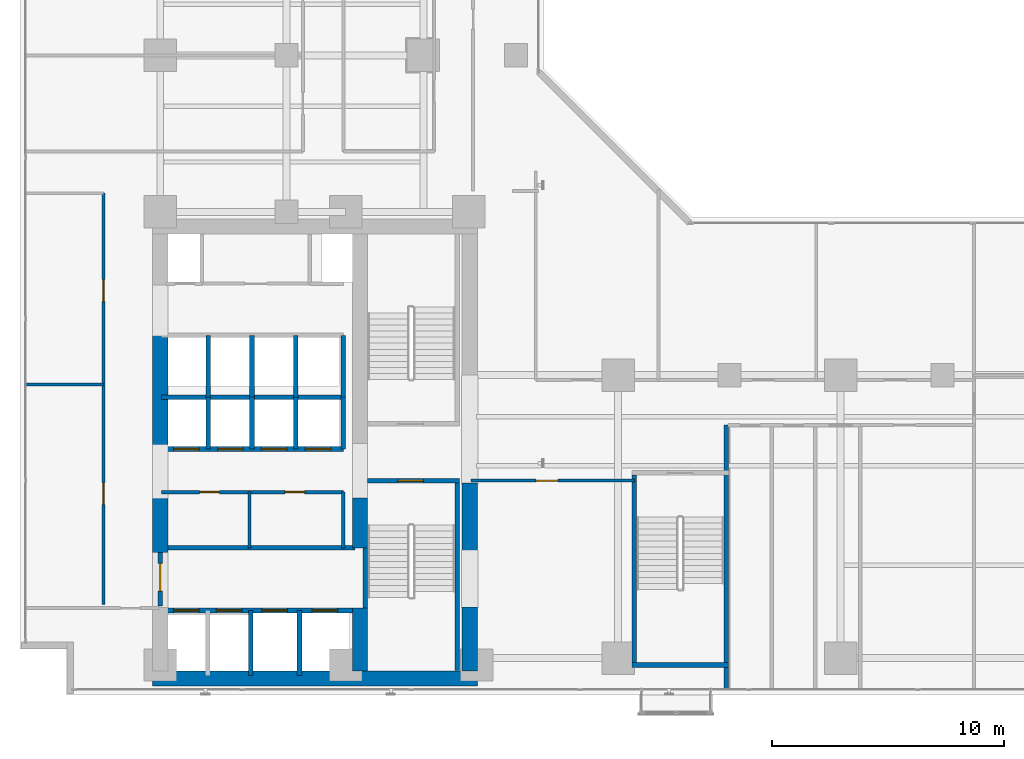
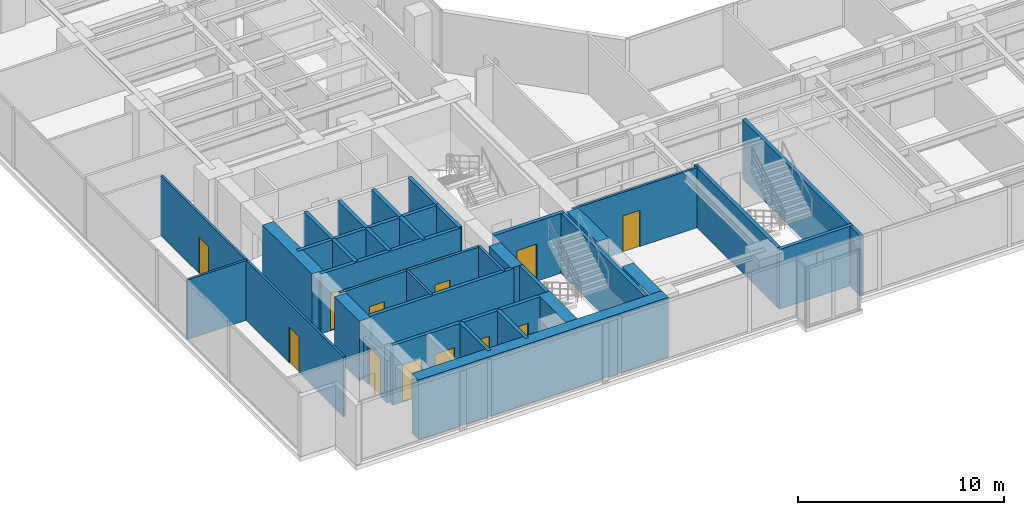
# One storey, part 19 of 26: 34 walls, 15 doors, 15 openings.
"""IFC4 building model written with IfcOpenShell, lengths in metres."""

from ifc_helpers import new_model, si_unit, direction, frame, frame_2d, origin, place, context, subcontext, project, spatial, rectangle, extrude, material, layer, layer_set, type_object, element, fill, save


model = new_model("IFC4")

# Units and contexts
model_context = context("Model", 3, precision=1e-05, world=origin(), true_north=direction((0.0, 1.0)))
body_context = subcontext(model_context, "Body", "Model", "MODEL_VIEW")
ifc_project = project(units=[si_unit("LENGTHUNIT", "METRE"), si_unit("AREAUNIT", "SQUARE_METRE"), si_unit("VOLUMEUNIT", "CUBIC_METRE"), si_unit("PLANEANGLEUNIT", "RADIAN"), si_unit("MASSUNIT", "GRAM", prefix="KILO")], contexts=[model_context])

# Site, building, storey
site_placement = place(None, origin())
site = spatial("IfcSite", under=ifc_project, at=site_placement, CompositionType="ELEMENT")
building_placement = place(site_placement, origin())
building = spatial("IfcBuilding", under=site, at=building_placement, Name="Kolvaren Waterfront Exchange", CompositionType="ELEMENT")
storey_placement = place(building_placement, frame((0.0, 0.0, 125.89990234375)))
storey = spatial("IfcBuildingStorey", under=building, at=storey_placement, Name="L32", CompositionType="ELEMENT", Elevation=125.89990234375)

# Wall, opening, door
ifc_material_1 = material(Name="Precast concrete C40/50", Category="concrete")
ifc_layer_1 = layer(ifc_material_1, 0.199951171875, Name="Precast concrete C40/50")
ifc_layer_set_1 = layer_set([ifc_layer_1], Name="Precast concrete C40/50")
wall_type_1 = type_object("IfcWallType", Name="ARC-FIRE-200", PredefinedType="PARTITIONING", material=ifc_layer_set_1)
wall_1_placement = place(storey_placement, frame((16.39990234375, 12.85009765625, 0.0), z_axis=(0.0, 0.0, 1.0), x_axis=(1.0, 0.0, 0.0)))
wall_1 = element("IfcWall", 1, at=wall_1_placement, inside=storey, type_object=wall_type_1, Name="L32 interior wall PW-L32-ST1-THROAT-S", PredefinedType="PARTITIONING", context=body_context, shape_type="SweptSolid", body=[
    extrude(rectangle(XDim=3.960205078125, YDim=0.199951171875, at=frame_2d((1.97998046875, 0.0))), origin(), (0.0, 0.0, 1.0), 3.5400390625),
])
opening_1_placement = place(wall_1_placement, frame((1.3037109375, 0.0, 0.0)))
opening_1 = element("IfcOpeningElement", 2, at=opening_1_placement, cuts=wall_1, Name="Opening FD2", PredefinedType="OPENING", context=body_context, shape_type="SweptSolid", body=[
    extrude(rectangle(XDim=1.10009765625, YDim=2.199951171875, at=frame_2d((0.550048828125, 1.10009765625))), frame((0.0, 0.10986328125, 0.0), z_axis=(0.0, -1.0, 0.0), x_axis=(1.0, 0.0, 0.0)), (0.0, 0.0, 1.0), 0.219970703125),
])
ifc_material_2 = material(Name="Pressed steel smoke-seal fire door", Category="steel")
door_type_1 = type_object("IfcDoorType", Name="ARC-FD-1100", OperationType="NOTDEFINED", PredefinedType="DOOR", material=ifc_material_2)
door_1_placement = place(opening_1_placement, frame((1.10009765625, 0.0, 0.0), z_axis=(0.0, 0.0, 1.0), x_axis=(-1.0, 0.0, 0.0)))
door_1 = element("IfcDoor", 3, at=door_1_placement, inside=storey, type_object=door_type_1, Name="L32 door DR-L32-ST1-IN (FD2)", OperationType="SINGLE_SWING_RIGHT", OverallHeight=2.199951171875, OverallWidth=1.10009765625, PredefinedType="DOOR", context=body_context, shape_type="SweptSolid", body=[
    extrude(rectangle(XDim=1.10009765625, YDim=2.199951171875, at=frame_2d((0.550048828125, 1.10009765625))), frame((0.0, 0.02490234375, 0.0), z_axis=(0.0, -1.0, 0.0), x_axis=(1.0, 0.0, 0.0)), (0.0, 0.0, 1.0), 0.050048828125),
])
fill(opening_1, door_1)

# Wall
wall_2_placement = place(storey_placement, frame((7.5, 9.949951171875, 0.0), z_axis=(0.0, 0.0, 1.0), x_axis=(1.0, 0.0, 0.0)))
element("IfcWall", 4, at=wall_2_placement, inside=storey, type_object=wall_type_1, Name="L32 interior wall PW-L32-FF-N", PredefinedType="PARTITIONING", context=body_context, shape_type="SweptSolid", body=[
    extrude(rectangle(XDim=8.35009765625, YDim=0.199951171875, at=frame_2d((4.175048828125, 0.0))), origin(), (0.0, 0.0, 1.0), 3.5400390625),
])

# Wall, opening, door
wall_3_placement = place(storey_placement, frame((7.449951171875, 7.449951171875, 0.0), z_axis=(0.0, 0.0, 1.0), x_axis=(0.0, 1.0, 0.0)))
wall_3 = element("IfcWall", 5, at=wall_3_placement, inside=storey, type_object=wall_type_1, Name="L32 interior wall PW-L32-FF-W-DOOR", PredefinedType="PARTITIONING", context=body_context, shape_type="SweptSolid", body=[
    extrude(rectangle(XDim=2.300048828125, YDim=0.199951171875, at=frame_2d((1.14990234375, 0.0))), origin(), (0.0, 0.0, 1.0), 2.52001953125),
])
opening_2_placement = place(wall_3_placement, frame((0.63330078125, 0.0, 0.0)))
opening_2 = element("IfcOpeningElement", 6, at=opening_2_placement, cuts=wall_3, Name="Opening FD3", PredefinedType="OPENING", context=body_context, shape_type="SweptSolid", body=[
    extrude(rectangle(XDim=1.199951171875, YDim=2.25, at=frame_2d((0.60009765625, 1.125))), frame((0.0, 0.10986328125, 0.0), z_axis=(0.0, -1.0, 0.0), x_axis=(1.0, 0.0, 0.0)), (0.0, 0.0, 1.0), 0.219970703125),
])
ifc_material_3 = material(Name="Pressed steel fire door", Category="steel")
door_type_2 = type_object("IfcDoorType", Name="ARC-FD-1200", OperationType="NOTDEFINED", PredefinedType="DOOR", material=ifc_material_3)
door_2_placement = place(opening_2_placement, frame((1.199951171875, 0.0, 0.0), z_axis=(0.0, 0.0, 1.0), x_axis=(-1.0, 0.0, 0.0)))
door_2 = element("IfcDoor", 7, at=door_2_placement, inside=storey, type_object=door_type_2, Name="L32 door DR-L32-FF-OUT (FD3)", OperationType="SINGLE_SWING_LEFT", OverallHeight=2.25, OverallWidth=1.199951171875, PredefinedType="DOOR", context=body_context, shape_type="SweptSolid", body=[
    extrude(rectangle(XDim=1.199951171875, YDim=2.25, at=frame_2d((0.60009765625, 1.125))), frame((0.0, 0.02490234375, 0.0), z_axis=(0.0, -1.0, 0.0), x_axis=(1.0, 0.0, 0.0)), (0.0, 0.0, 1.0), 0.050048828125),
])
fill(opening_2, door_2)

# Wall
ifc_material_4 = material(Name="Acoustic gypsum steel stud", Category="steel")
ifc_layer_2 = layer(ifc_material_4, 0.125, Name="Acoustic gypsum steel stud")
ifc_layer_set_2 = layer_set([ifc_layer_2], Name="Acoustic gypsum steel stud")
wall_type_2 = type_object("IfcWallType", Name="ARC-PART-125", PredefinedType="PARTITIONING", material=ifc_layer_set_2)
wall_4_placement = place(storey_placement, frame((11.300048828125, 9.949951171875, 0.0), z_axis=(0.0, 0.0, 1.0), x_axis=(0.0, 1.0, 0.0)))
element("IfcWall", 8, at=wall_4_placement, inside=storey, type_object=wall_type_2, Name="L32 interior wall PW-L32-REC-PL-MID", PredefinedType="PARTITIONING", context=body_context, shape_type="SweptSolid", body=[
    extrude(rectangle(XDim=2.41015625, YDim=0.125, at=frame_2d((1.205078125, 0.0))), origin(), (0.0, 0.0, 1.0), 3.5400390625),
])

# Wall, openings, doors
wall_5_placement = place(storey_placement, frame((5.0, 7.5, 0.0), z_axis=(0.0, 0.0, 1.0), x_axis=(0.0, 1.0, 0.0)))
wall_5 = element("IfcWall", 9, at=wall_5_placement, inside=storey, type_object=wall_type_2, Name="L32 interior wall PW-L32-WFLANK-E", PredefinedType="PARTITIONING", context=body_context, shape_type="SweptSolid", body=[
    extrude(rectangle(XDim=17.75, YDim=0.125, at=frame_2d((8.875, 0.0))), origin(), (0.0, 0.0, 1.0), 3.5400390625),
])
opening_3_placement = place(wall_5_placement, frame((4.320068359375, 0.0, 0.0)))
opening_3 = element("IfcOpeningElement", 10, at=opening_3_placement, cuts=wall_5, Name="Opening D02", PredefinedType="OPENING", context=body_context, shape_type="SweptSolid", body=[
    extrude(rectangle(XDim=0.949951171875, YDim=2.14990234375, at=frame_2d((0.47509765625, 1.074951171875))), frame((0.0, 0.072509765625, 0.0), z_axis=(0.0, -1.0, 0.0), x_axis=(1.0, 0.0, 0.0)), (0.0, 0.0, 1.0), 0.14501953125),
])
opening_4_placement = place(wall_5_placement, frame((13.078857421875, 0.0, 0.0)))
opening_4 = element("IfcOpeningElement", 11, at=opening_4_placement, cuts=wall_5, Name="Opening D02", PredefinedType="OPENING", context=body_context, shape_type="SweptSolid", body=[
    extrude(rectangle(XDim=0.949951171875, YDim=2.14990234375, at=frame_2d((0.47509765625, 1.074951171875))), frame((0.0, 0.072509765625, 0.0), z_axis=(0.0, -1.0, 0.0), x_axis=(1.0, 0.0, 0.0)), (0.0, 0.0, 1.0), 0.14501953125),
])
ifc_material_5 = material(Name="Oak veneer acoustic timber", Category="wood")
door_type_3 = type_object("IfcDoorType", Name="ARC-DR-950", OperationType="NOTDEFINED", PredefinedType="DOOR", material=ifc_material_5)
door_3_placement = place(opening_3_placement, origin())
door_3 = element("IfcDoor", 12, at=door_3_placement, inside=storey, type_object=door_type_3, Name="L32 door DR-L32-WFL1-D (D02)", OperationType="SINGLE_SWING_LEFT", OverallHeight=2.14990234375, OverallWidth=0.949951171875, PredefinedType="DOOR", context=body_context, shape_type="SweptSolid", body=[
    extrude(rectangle(XDim=0.949951171875, YDim=2.14990234375, at=frame_2d((0.47509765625, 1.074951171875))), frame((0.0, 0.02490234375, 0.0), z_axis=(0.0, -1.0, 0.0), x_axis=(1.0, 0.0, 0.0)), (0.0, 0.0, 1.0), 0.050048828125),
])
fill(opening_3, door_3)
door_4_placement = place(opening_4_placement, origin())
door_4 = element("IfcDoor", 13, at=door_4_placement, inside=storey, type_object=door_type_3, Name="L32 door DR-L32-WFL2-D (D02)", OperationType="SINGLE_SWING_RIGHT", OverallHeight=2.14990234375, OverallWidth=0.949951171875, PredefinedType="DOOR", context=body_context, shape_type="SweptSolid", body=[
    extrude(rectangle(XDim=0.949951171875, YDim=2.14990234375, at=frame_2d((0.47509765625, 1.074951171875))), frame((0.0, 0.02490234375, 0.0), z_axis=(0.0, -1.0, 0.0), x_axis=(1.0, 0.0, 0.0)), (0.0, 0.0, 1.0), 0.050048828125),
])
fill(opening_4, door_4)

# Wall
wall_6_placement = place(storey_placement, frame((1.639892578125, 17.0, 0.0), z_axis=(0.0, 0.0, 1.0), x_axis=(1.0, 0.0, 0.0)))
element("IfcWall", 14, at=wall_6_placement, inside=storey, type_object=wall_type_2, Name="L32 interior wall PW-L32-WFLANK-MID", PredefinedType="PARTITIONING", context=body_context, shape_type="SweptSolid", body=[
    extrude(rectangle(XDim=3.360107421875, YDim=0.125, at=frame_2d((1.68017578125, 0.0))), origin(), (0.0, 0.0, 1.0), 3.5400390625),
])

# Wall, opening, door
wall_7_placement = place(storey_placement, frame((20.85009765625, 12.85009765625, 0.0), z_axis=(0.0, 0.0, 1.0), x_axis=(1.0, 0.0, 0.0)))
wall_7 = element("IfcWall", 15, at=wall_7_placement, inside=storey, type_object=wall_type_2, Name="L32 interior wall PW-L32-SWST3-N", PredefinedType="PARTITIONING", context=body_context, shape_type="SweptSolid", body=[
    extrude(rectangle(XDim=7.0498046875, YDim=0.125, at=frame_2d((3.52490234375, 0.0))), origin(), (0.0, 0.0, 1.0), 3.5400390625),
])
opening_5_placement = place(wall_7_placement, frame((2.800048828125, 0.0, 0.0)))
opening_5 = element("IfcOpeningElement", 16, at=opening_5_placement, cuts=wall_7, Name="Opening D02", PredefinedType="OPENING", context=body_context, shape_type="SweptSolid", body=[
    extrude(rectangle(XDim=0.949951171875, YDim=2.14990234375, at=frame_2d((0.47509765625, 1.074951171875))), frame((0.0, 0.072509765625, 0.0), z_axis=(0.0, -1.0, 0.0), x_axis=(1.0, 0.0, 0.0)), (0.0, 0.0, 1.0), 0.14501953125),
])
door_5_placement = place(opening_5_placement, origin())
door_5 = element("IfcDoor", 17, at=door_5_placement, inside=storey, type_object=door_type_3, Name="L32 door DR-L32-SWST3-D (D02)", OperationType="SINGLE_SWING_LEFT", OverallHeight=2.14990234375, OverallWidth=0.949951171875, PredefinedType="DOOR", context=body_context, shape_type="SweptSolid", body=[
    extrude(rectangle(XDim=0.949951171875, YDim=2.14990234375, at=frame_2d((0.47509765625, 1.074951171875))), frame((0.0, 0.02490234375, 0.0), z_axis=(0.0, -1.0, 0.0), x_axis=(1.0, 0.0, 0.0)), (0.0, 0.0, 1.0), 0.050048828125),
])
fill(opening_5, door_5)

# Wall, openings, doors
ifc_material_6 = material(Name="Gypsum fireboard steel stud", Category="steel")
ifc_layer_3 = layer(ifc_material_6, 0.14990234375, Name="Gypsum fireboard steel stud")
ifc_layer_set_3 = layer_set([ifc_layer_3], Name="Gypsum fireboard steel stud")
wall_type_3 = type_object("IfcWallType", Name="ARC-PART-150", PredefinedType="PARTITIONING", material=ifc_layer_set_3)
wall_8_placement = place(storey_placement, frame((7.5, 12.360107421875, 0.0), z_axis=(0.0, 0.0, 1.0), x_axis=(1.0, 0.0, 0.0)))
wall_8 = element("IfcWall", 18, at=wall_8_placement, inside=storey, type_object=wall_type_3, Name="L32 interior wall PW-L32-REC-PL-N", PredefinedType="PARTITIONING", context=body_context, shape_type="SweptSolid", body=[
    extrude(rectangle(XDim=7.85009765625, YDim=0.14990234375, at=frame_2d((3.925048828125, 0.0))), origin(), (0.0, 0.0, 1.0), 3.5400390625),
])
opening_6_placement = place(wall_8_placement, frame((1.64990234375, 0.0, 0.0)))
opening_6 = element("IfcOpeningElement", 19, at=opening_6_placement, cuts=wall_8, Name="Opening D01", PredefinedType="OPENING", context=body_context, shape_type="SweptSolid", body=[
    extrude(rectangle(XDim=0.85009765625, YDim=2.14990234375, at=frame_2d((0.425048828125, 1.074951171875))), frame((0.0, 0.0849609375, 0.0), z_axis=(0.0, -1.0, 0.0), x_axis=(1.0, 0.0, 0.0)), (0.0, 0.0, 1.0), 0.169921875),
])
opening_7_placement = place(wall_8_placement, frame((5.329345703125, 0.0, 0.0)))
opening_7 = element("IfcOpeningElement", 20, at=opening_7_placement, cuts=wall_8, Name="Opening D01", PredefinedType="OPENING", context=body_context, shape_type="SweptSolid", body=[
    extrude(rectangle(XDim=0.85009765625, YDim=2.14990234375, at=frame_2d((0.425048828125, 1.074951171875))), frame((0.0, 0.0849609375, 0.0), z_axis=(0.0, -1.0, 0.0), x_axis=(1.0, 0.0, 0.0)), (0.0, 0.0, 1.0), 0.169921875),
])
ifc_material_7 = material(Name="Oak veneer timber leaf", Category="wood")
door_type_4 = type_object("IfcDoorType", Name="ARC-DR-900", OperationType="NOTDEFINED", PredefinedType="DOOR", material=ifc_material_7)
door_6_placement = place(opening_6_placement, origin())
door_6 = element("IfcDoor", 21, at=door_6_placement, inside=storey, type_object=door_type_4, Name="L32 door DR-L32-REC-PL-D1 (D01)", OperationType="SINGLE_SWING_RIGHT", OverallHeight=2.14990234375, OverallWidth=0.85009765625, PredefinedType="DOOR", context=body_context, shape_type="SweptSolid", body=[
    extrude(rectangle(XDim=0.85009765625, YDim=2.14990234375, at=frame_2d((0.425048828125, 1.074951171875))), frame((0.0, 0.02490234375, 0.0), z_axis=(0.0, -1.0, 0.0), x_axis=(1.0, 0.0, 0.0)), (0.0, 0.0, 1.0), 0.050048828125),
])
fill(opening_6, door_6)
door_7_placement = place(opening_7_placement, origin())
door_7 = element("IfcDoor", 22, at=door_7_placement, inside=storey, type_object=door_type_4, Name="L32 door DR-L32-REC-PL-D2 (D01)", OperationType="SINGLE_SWING_LEFT", OverallHeight=2.14990234375, OverallWidth=0.85009765625, PredefinedType="DOOR", context=body_context, shape_type="SweptSolid", body=[
    extrude(rectangle(XDim=0.85009765625, YDim=2.14990234375, at=frame_2d((0.425048828125, 1.074951171875))), frame((0.0, 0.02490234375, 0.0), z_axis=(0.0, -1.0, 0.0), x_axis=(1.0, 0.0, 0.0)), (0.0, 0.0, 1.0), 0.050048828125),
])
fill(opening_7, door_7)

# Walls
wall_9_placement = place(storey_placement, frame((15.35009765625, 9.949951171875, 0.0), z_axis=(0.0, 0.0, 1.0), x_axis=(0.0, 1.0, 0.0)))
element("IfcWall", 23, at=wall_9_placement, inside=storey, type_object=wall_type_3, Name="L32 interior wall PW-L32-REC-PL-E", PredefinedType="PARTITIONING", context=body_context, shape_type="SweptSolid", body=[
    extrude(rectangle(XDim=2.41015625, YDim=0.14990234375, at=frame_2d((1.205078125, 0.0))), origin(), (0.0, 0.0, 1.0), 3.5400390625),
])
ifc_material_8 = material(Name="Concrete C40/50", Category="concrete")
ifc_layer_4 = layer(ifc_material_8, 0.199951171875, Name="Concrete C40/50")
ifc_layer_set_4 = layer_set([ifc_layer_4], Name="Concrete C40/50")
wall_type_4 = type_object("IfcWallType", Name="ARC-SHAFT-200", PredefinedType="PARTITIONING", material=ifc_layer_set_4)
wall_10_placement = place(storey_placement, frame((16.300048828125, 7.360107421875, 0.0), z_axis=(0.0, 0.0, 1.0), x_axis=(0.0, 1.0, 0.0)))
element("IfcWall", 24, at=wall_10_placement, inside=storey, type_object=wall_type_4, Name="L32 structural stairwell wall PW-L32-ST1-W", PredefinedType="SHEAR", context=body_context, shape_type="SweptSolid", body=[
    extrude(rectangle(XDim=2.579833984375, YDim=0.199951171875, at=frame_2d((1.2900390625, 0.0))), origin(), (0.0, 0.0, 1.0), 3.5400390625),
])
wall_11_placement = place(storey_placement, frame((20.260009765625, 4.659912109375, 0.0), z_axis=(0.0, 0.0, 1.0), x_axis=(0.0, 1.0, 0.0)))
element("IfcWall", 25, at=wall_11_placement, inside=storey, type_object=wall_type_4, Name="L32 structural stairwell wall PW-L32-ST1-E", PredefinedType="SHEAR", context=body_context, shape_type="SweptSolid", body=[
    extrude(rectangle(XDim=8.090087890625, YDim=0.199951171875, at=frame_2d((4.044921875, 0.0))), origin(), (0.0, 0.0, 1.0), 3.5400390625),
])
wall_12_placement = place(storey_placement, frame((27.89990234375, 5.0, 0.0), z_axis=(0.0, 0.0, 1.0), x_axis=(0.0, 1.0, 0.0)))
element("IfcWall", 26, at=wall_12_placement, inside=storey, type_object=wall_type_4, Name="L32 structural stairwell wall PW-L32-ST3-W", PredefinedType="SHEAR", context=body_context, shape_type="SweptSolid", body=[
    extrude(rectangle(XDim=8.10009765625, YDim=0.199951171875, at=frame_2d((4.050048828125, 0.0))), origin(), (0.0, 0.0, 1.0), 3.5400390625),
])
wall_13_placement = place(storey_placement, frame((31.860107421875, 3.840087890625, 0.0), z_axis=(0.0, 0.0, 1.0), x_axis=(0.0, 1.0, 0.0)))
element("IfcWall", 27, at=wall_13_placement, inside=storey, type_object=wall_type_4, Name="L32 structural stairwell wall PW-L32-ST3-E", PredefinedType="SHEAR", context=body_context, shape_type="SweptSolid", body=[
    extrude(rectangle(XDim=11.409912109375, YDim=0.199951171875, at=frame_2d((5.705078125, 0.0))), origin(), (0.0, 0.0, 1.0), 3.5400390625),
])
wall_14_placement = place(storey_placement, frame((27.800048828125, 4.89990234375, 0.0), z_axis=(0.0, 0.0, 1.0), x_axis=(1.0, 0.0, 0.0)))
element("IfcWall", 28, at=wall_14_placement, inside=storey, type_object=wall_type_4, Name="L32 structural stairwell wall PW-L32-ST3-S", PredefinedType="SHEAR", context=body_context, shape_type="SweptSolid", body=[
    extrude(rectangle(XDim=4.159912109375, YDim=0.199951171875, at=frame_2d((2.080078125, 0.0))), origin(), (0.0, 0.0, 1.0), 3.5400390625),
])

# Wall, openings, doors
wall_15_placement = place(storey_placement, frame((7.5, 7.25, 0.0), z_axis=(0.0, 0.0, 1.0), x_axis=(1.0, 0.0, 0.0)))
wall_15 = element("IfcWall", 29, at=wall_15_placement, inside=storey, type_object=wall_type_4, Name="L32 interior wall PW-L32-FF-S", PredefinedType="PARTITIONING", context=body_context, shape_type="SweptSolid", body=[
    extrude(rectangle(XDim=8.35009765625, YDim=0.199951171875, at=frame_2d((4.175048828125, 0.0))), origin(), (0.0, 0.0, 1.0), 3.5400390625),
])
opening_8_placement = place(wall_15_placement, frame((0.530029296875, 0.0, 0.0)))
opening_8 = element("IfcOpeningElement", 30, at=opening_8_placement, cuts=wall_15, Name="Opening LD1", PredefinedType="OPENING", context=body_context, shape_type="SweptSolid", body=[
    extrude(rectangle(XDim=1.10009765625, YDim=2.199951171875, at=frame_2d((0.550048828125, 1.10009765625))), frame((0.0, 0.10986328125, 0.0), z_axis=(0.0, -1.0, 0.0), x_axis=(1.0, 0.0, 0.0)), (0.0, 0.0, 1.0), 0.219970703125),
])
opening_9_placement = place(wall_15_placement, frame((2.3701171875, 0.0, 0.0)))
opening_9 = element("IfcOpeningElement", 31, at=opening_9_placement, cuts=wall_15, Name="Opening LD1", PredefinedType="OPENING", context=body_context, shape_type="SweptSolid", body=[
    extrude(rectangle(XDim=1.10009765625, YDim=2.199951171875, at=frame_2d((0.550048828125, 1.10009765625))), frame((0.0, 0.10986328125, 0.0), z_axis=(0.0, -1.0, 0.0), x_axis=(1.0, 0.0, 0.0)), (0.0, 0.0, 1.0), 0.219970703125),
])
opening_10_placement = place(wall_15_placement, frame((4.330078125, 0.0, 0.0)))
opening_10 = element("IfcOpeningElement", 32, at=opening_10_placement, cuts=wall_15, Name="Opening LD1", PredefinedType="OPENING", context=body_context, shape_type="SweptSolid", body=[
    extrude(rectangle(XDim=1.10009765625, YDim=2.199951171875, at=frame_2d((0.550048828125, 1.10009765625))), frame((0.0, 0.10986328125, 0.0), z_axis=(0.0, -1.0, 0.0), x_axis=(1.0, 0.0, 0.0)), (0.0, 0.0, 1.0), 0.219970703125),
])
opening_11_placement = place(wall_15_placement, frame((6.5, 0.0, 0.0)))
opening_11 = element("IfcOpeningElement", 33, at=opening_11_placement, cuts=wall_15, Name="Opening LD1", PredefinedType="OPENING", context=body_context, shape_type="SweptSolid", body=[
    extrude(rectangle(XDim=1.10009765625, YDim=2.199951171875, at=frame_2d((0.550048828125, 1.10009765625))), frame((0.0, 0.10986328125, 0.0), z_axis=(0.0, -1.0, 0.0), x_axis=(1.0, 0.0, 0.0)), (0.0, 0.0, 1.0), 0.219970703125),
])
ifc_material_9 = material(Name="Stainless steel sliding landing door", Category="steel")
door_type_5 = type_object("IfcDoorType", Name="ARC-LD-FF", OperationType="SLIDING_TO_LEFT", PredefinedType="DOOR", material=ifc_material_9)
door_8_placement = place(opening_8_placement, origin())
door_8 = element("IfcDoor", 34, at=door_8_placement, inside=storey, type_object=door_type_5, Name="L32 door LD-L32-FFL1 (LD1)", OperationType="SLIDING_TO_LEFT", OverallHeight=2.199951171875, OverallWidth=1.10009765625, PredefinedType="DOOR", context=body_context, shape_type="SweptSolid", body=[
    extrude(rectangle(XDim=1.10009765625, YDim=2.199951171875, at=frame_2d((0.550048828125, 1.10009765625))), frame((0.0, 0.02490234375, 0.0), z_axis=(0.0, -1.0, 0.0), x_axis=(1.0, 0.0, 0.0)), (0.0, 0.0, 1.0), 0.050048828125),
])
fill(opening_8, door_8)
door_9_placement = place(opening_9_placement, origin())
door_9 = element("IfcDoor", 35, at=door_9_placement, inside=storey, type_object=door_type_5, Name="L32 door LD-L32-FFL2 (LD1)", OperationType="SLIDING_TO_LEFT", OverallHeight=2.199951171875, OverallWidth=1.10009765625, PredefinedType="DOOR", context=body_context, shape_type="SweptSolid", body=[
    extrude(rectangle(XDim=1.10009765625, YDim=2.199951171875, at=frame_2d((0.550048828125, 1.10009765625))), frame((0.0, 0.02490234375, 0.0), z_axis=(0.0, -1.0, 0.0), x_axis=(1.0, 0.0, 0.0)), (0.0, 0.0, 1.0), 0.050048828125),
])
fill(opening_9, door_9)
door_10_placement = place(opening_10_placement, origin())
door_10 = element("IfcDoor", 36, at=door_10_placement, inside=storey, type_object=door_type_5, Name="L32 door LD-L32-GL1 (LD1)", OperationType="SLIDING_TO_LEFT", OverallHeight=2.199951171875, OverallWidth=1.10009765625, PredefinedType="DOOR", context=body_context, shape_type="SweptSolid", body=[
    extrude(rectangle(XDim=1.10009765625, YDim=2.199951171875, at=frame_2d((0.550048828125, 1.10009765625))), frame((0.0, 0.02490234375, 0.0), z_axis=(0.0, -1.0, 0.0), x_axis=(1.0, 0.0, 0.0)), (0.0, 0.0, 1.0), 0.050048828125),
])
fill(opening_10, door_10)
door_11_placement = place(opening_11_placement, origin())
door_11 = element("IfcDoor", 37, at=door_11_placement, inside=storey, type_object=door_type_5, Name="L32 door LD-L32-GL2 (LD1)", OperationType="SLIDING_TO_LEFT", OverallHeight=2.199951171875, OverallWidth=1.10009765625, PredefinedType="DOOR", context=body_context, shape_type="SweptSolid", body=[
    extrude(rectangle(XDim=1.10009765625, YDim=2.199951171875, at=frame_2d((0.550048828125, 1.10009765625))), frame((0.0, 0.02490234375, 0.0), z_axis=(0.0, -1.0, 0.0), x_axis=(1.0, 0.0, 0.0)), (0.0, 0.0, 1.0), 0.050048828125),
])
fill(opening_11, door_11)

# Walls
for number, where, z_axis, x_axis, name in (
    (38, (11.360107421875, 4.449951171875, 0.0), (0.0, 0.0, 1.0), (0.0, 1.0, 0.0), "L32 interior wall PW-L32-SH1-DIV-113"),
    (39, (13.4599609375, 4.449951171875, 0.0), (0.0, 0.0, 1.0), (0.0, 1.0, 0.0), "L32 interior wall PW-L32-SH1-DIV-134"),
):
    element("IfcWall", number, at=place(storey_placement, frame(where, z_axis=z_axis, x_axis=x_axis)), inside=storey, type_object=wall_type_4, Name=name, PredefinedType="PARTITIONING", context=body_context, shape_type="SweptSolid", body=[
        extrude(rectangle(XDim=2.800048828125, YDim=0.199951171875, at=frame_2d((1.39990234375, 0.0))), origin(), (0.0, 0.0, 1.0), 3.5400390625),
    ])

# Wall, openings, doors
wall_16_placement = place(storey_placement, frame((7.5, 14.219970703125, 0.0), z_axis=(0.0, 0.0, 1.0), x_axis=(1.0, 0.0, 0.0)))
wall_16 = element("IfcWall", 40, at=wall_16_placement, inside=storey, type_object=wall_type_4, Name="L32 interior wall PW-L32-PM-S", PredefinedType="PARTITIONING", context=body_context, shape_type="SweptSolid", body=[
    extrude(rectangle(XDim=7.85009765625, YDim=0.199951171875, at=frame_2d((3.925048828125, 0.0))), origin(), (0.0, 0.0, 1.0), 3.5400390625),
])
opening_12_placement = place(wall_16_placement, frame((0.530029296875, 0.0, 0.0)))
opening_12 = element("IfcOpeningElement", 41, at=opening_12_placement, cuts=wall_16, Name="Opening LD2", PredefinedType="OPENING", context=body_context, shape_type="SweptSolid", body=[
    extrude(rectangle(XDim=1.10009765625, YDim=2.199951171875, at=frame_2d((0.550048828125, 1.10009765625))), frame((0.0, 0.10986328125, 0.0), z_axis=(0.0, -1.0, 0.0), x_axis=(1.0, 0.0, 0.0)), (0.0, 0.0, 1.0), 0.219970703125),
])
opening_13_placement = place(wall_16_placement, frame((2.419921875, 0.0, 0.0)))
opening_13 = element("IfcOpeningElement", 42, at=opening_13_placement, cuts=wall_16, Name="Opening LD2", PredefinedType="OPENING", context=body_context, shape_type="SweptSolid", body=[
    extrude(rectangle(XDim=1.10009765625, YDim=2.199951171875, at=frame_2d((0.550048828125, 1.10009765625))), frame((0.0, 0.10986328125, 0.0), z_axis=(0.0, -1.0, 0.0), x_axis=(1.0, 0.0, 0.0)), (0.0, 0.0, 1.0), 0.219970703125),
])
opening_14_placement = place(wall_16_placement, frame((4.31005859375, 0.0, 0.0)))
opening_14 = element("IfcOpeningElement", 43, at=opening_14_placement, cuts=wall_16, Name="Opening LD2", PredefinedType="OPENING", context=body_context, shape_type="SweptSolid", body=[
    extrude(rectangle(XDim=1.10009765625, YDim=2.199951171875, at=frame_2d((0.550048828125, 1.10009765625))), frame((0.0, 0.10986328125, 0.0), z_axis=(0.0, -1.0, 0.0), x_axis=(1.0, 0.0, 0.0)), (0.0, 0.0, 1.0), 0.219970703125),
])
opening_15_placement = place(wall_16_placement, frame((6.199951171875, 0.0, 0.0)))
opening_15 = element("IfcOpeningElement", 44, at=opening_15_placement, cuts=wall_16, Name="Opening LD2", PredefinedType="OPENING", context=body_context, shape_type="SweptSolid", body=[
    extrude(rectangle(XDim=1.10009765625, YDim=2.199951171875, at=frame_2d((0.550048828125, 1.10009765625))), frame((0.0, 0.10986328125, 0.0), z_axis=(0.0, -1.0, 0.0), x_axis=(1.0, 0.0, 0.0)), (0.0, 0.0, 1.0), 0.219970703125),
])
ifc_material_10 = material(Name="Brushed bronze sliding landing door", Category="aluminium")
door_type_6 = type_object("IfcDoorType", Name="ARC-LD-PAX", OperationType="SLIDING_TO_LEFT", PredefinedType="DOOR", material=ifc_material_10)
door_12_placement = place(opening_12_placement, frame((1.10009765625, 0.0, 0.0), z_axis=(0.0, 0.0, 1.0), x_axis=(-1.0, 0.0, 0.0)))
door_12 = element("IfcDoor", 45, at=door_12_placement, inside=storey, type_object=door_type_6, Name="L32 door LD-L32-PM1 (LD2)", OperationType="SLIDING_TO_LEFT", OverallHeight=2.199951171875, OverallWidth=1.10009765625, PredefinedType="DOOR", context=body_context, shape_type="SweptSolid", body=[
    extrude(rectangle(XDim=1.10009765625, YDim=2.199951171875, at=frame_2d((0.550048828125, 1.10009765625))), frame((0.0, 0.02490234375, 0.0), z_axis=(0.0, -1.0, 0.0), x_axis=(1.0, 0.0, 0.0)), (0.0, 0.0, 1.0), 0.050048828125),
])
fill(opening_12, door_12)
door_13_placement = place(opening_13_placement, frame((1.10009765625, 0.0, 0.0), z_axis=(0.0, 0.0, 1.0), x_axis=(-1.0, 0.0, 0.0)))
door_13 = element("IfcDoor", 46, at=door_13_placement, inside=storey, type_object=door_type_6, Name="L32 door LD-L32-PM2 (LD2)", OperationType="SLIDING_TO_LEFT", OverallHeight=2.199951171875, OverallWidth=1.10009765625, PredefinedType="DOOR", context=body_context, shape_type="SweptSolid", body=[
    extrude(rectangle(XDim=1.10009765625, YDim=2.199951171875, at=frame_2d((0.550048828125, 1.10009765625))), frame((0.0, 0.02490234375, 0.0), z_axis=(0.0, -1.0, 0.0), x_axis=(1.0, 0.0, 0.0)), (0.0, 0.0, 1.0), 0.050048828125),
])
fill(opening_13, door_13)
door_14_placement = place(opening_14_placement, frame((1.10009765625, 0.0, 0.0), z_axis=(0.0, 0.0, 1.0), x_axis=(-1.0, 0.0, 0.0)))
door_14 = element("IfcDoor", 47, at=door_14_placement, inside=storey, type_object=door_type_6, Name="L32 door LD-L32-PM3 (LD2)", OperationType="SLIDING_TO_LEFT", OverallHeight=2.199951171875, OverallWidth=1.10009765625, PredefinedType="DOOR", context=body_context, shape_type="SweptSolid", body=[
    extrude(rectangle(XDim=1.10009765625, YDim=2.199951171875, at=frame_2d((0.550048828125, 1.10009765625))), frame((0.0, 0.02490234375, 0.0), z_axis=(0.0, -1.0, 0.0), x_axis=(1.0, 0.0, 0.0)), (0.0, 0.0, 1.0), 0.050048828125),
])
fill(opening_14, door_14)
door_15_placement = place(opening_15_placement, frame((1.10009765625, 0.0, 0.0), z_axis=(0.0, 0.0, 1.0), x_axis=(-1.0, 0.0, 0.0)))
door_15 = element("IfcDoor", 48, at=door_15_placement, inside=storey, type_object=door_type_6, Name="L32 door LD-L32-PM4 (LD2)", OperationType="SLIDING_TO_LEFT", OverallHeight=2.199951171875, OverallWidth=1.10009765625, PredefinedType="DOOR", context=body_context, shape_type="SweptSolid", body=[
    extrude(rectangle(XDim=1.10009765625, YDim=2.199951171875, at=frame_2d((0.550048828125, 1.10009765625))), frame((0.0, 0.02490234375, 0.0), z_axis=(0.0, -1.0, 0.0), x_axis=(1.0, 0.0, 0.0)), (0.0, 0.0, 1.0), 0.050048828125),
])
fill(opening_15, door_15)

# Walls
wall_17_placement = place(storey_placement, frame((7.5, 16.449951171875, 0.0), z_axis=(0.0, 0.0, 1.0), x_axis=(1.0, 0.0, 0.0)))
element("IfcWall", 49, at=wall_17_placement, inside=storey, type_object=wall_type_4, Name="L32 interior wall PW-L32-PM-N", PredefinedType="PARTITIONING", context=body_context, shape_type="SweptSolid", body=[
    extrude(rectangle(XDim=7.85009765625, YDim=0.199951171875, at=frame_2d((3.925048828125, 0.0))), origin(), (0.0, 0.0, 1.0), 3.5400390625),
])
for number, where, z_axis, x_axis, name in (
    (50, (15.35009765625, 14.219970703125, 0.0), (0.0, 0.0, 1.0), (0.0, 1.0, 0.0), "L32 interior wall PW-L32-PM-E"),
    (51, (9.52001953125, 14.219970703125, 0.0), (0.0, 0.0, 1.0), (0.0, 1.0, 0.0), "L32 interior wall PW-L32-SH3-DIV-95"),
    (52, (11.409912109375, 14.219970703125, 0.0), (0.0, 0.0, 1.0), (0.0, 1.0, 0.0), "L32 interior wall PW-L32-SH3-DIV-114"),
    (53, (13.300048828125, 14.219970703125, 0.0), (0.0, 0.0, 1.0), (0.0, 1.0, 0.0), "L32 interior wall PW-L32-SH3-DIV-133"),
):
    element("IfcWall", number, at=place(storey_placement, frame(where, z_axis=z_axis, x_axis=x_axis)), inside=storey, type_object=wall_type_4, Name=name, PredefinedType="PARTITIONING", context=body_context, shape_type="SweptSolid", body=[
        extrude(rectangle(XDim=2.22998046875, YDim=0.199951171875, at=frame_2d((1.114990234375, 0.0))), origin(), (0.0, 0.0, 1.0), 3.5400390625),
    ])
for number, where, z_axis, x_axis, name in (
    (54, (15.35009765625, 16.449951171875, 0.0), (0.0, 0.0, 1.0), (0.0, 1.0, 0.0), "L32 interior wall PW-L32-PH-E"),
    (55, (9.52001953125, 16.449951171875, 0.0), (0.0, 0.0, 1.0), (0.0, 1.0, 0.0), "L32 interior wall PW-L32-SH4-DIV-95"),
    (56, (11.409912109375, 16.449951171875, 0.0), (0.0, 0.0, 1.0), (0.0, 1.0, 0.0), "L32 interior wall PW-L32-SH4-DIV-114"),
    (57, (13.300048828125, 16.449951171875, 0.0), (0.0, 0.0, 1.0), (0.0, 1.0, 0.0), "L32 interior wall PW-L32-SH4-DIV-133"),
):
    element("IfcWall", number, at=place(storey_placement, frame(where, z_axis=z_axis, x_axis=x_axis)), inside=storey, type_object=wall_type_4, Name=name, PredefinedType="PARTITIONING", context=body_context, shape_type="SweptSolid", body=[
        extrude(rectangle(XDim=2.670166015625, YDim=0.199951171875, at=frame_2d((1.3349609375, 0.0))), origin(), (0.0, 0.0, 1.0), 3.5400390625),
    ])
ifc_material_11 = material(Name="Concrete C60/75", Category="concrete")
ifc_layer_5 = layer(ifc_material_11, 0.64990234375, Name="Concrete C60/75")
ifc_layer_set_5 = layer_set([ifc_layer_5], Name="Concrete C60/75")
wall_type_5 = type_object("IfcWallType", Name="STR-CWALL-650", PredefinedType="SHEAR", material=ifc_layer_set_5)
wall_18_placement = place(storey_placement, frame((7.125, 4.324951171875, 0.0), z_axis=(0.0, 0.0, 1.0), x_axis=(1.0, 0.0, 0.0)))
element("IfcWall", 58, at=wall_18_placement, inside=storey, type_object=wall_type_5, Name="L32 rear-core shear wall S", PredefinedType="SHEAR", context=body_context, shape_type="SweptSolid", body=[
    extrude(rectangle(XDim=14.0, YDim=0.64990234375, at=frame_2d((7.0, 0.0))), origin(), (0.0, 0.0, 1.0), 3.5400390625),
])
wall_19_placement = place(storey_placement, frame((7.449951171875, 9.75, 0.0), z_axis=(0.0, 0.0, 1.0), x_axis=(0.0, 1.0, 0.0)))
element("IfcWall", 59, at=wall_19_placement, inside=storey, type_object=wall_type_5, Name="L32 rear-core shear wall W2A", PredefinedType="SHEAR", context=body_context, shape_type="SweptSolid", body=[
    extrude(rectangle(XDim=2.39990234375, YDim=0.64990234375, at=frame_2d((1.199951171875, 0.0))), origin(), (0.0, 0.0, 1.0), 3.5400390625),
])
wall_20_placement = place(storey_placement, frame((7.449951171875, 14.35009765625, 0.0), z_axis=(0.0, 0.0, 1.0), x_axis=(0.0, 1.0, 0.0)))
element("IfcWall", 60, at=wall_20_placement, inside=storey, type_object=wall_type_5, Name="L32 rear-core shear wall W2B", PredefinedType="SHEAR", context=body_context, shape_type="SweptSolid", body=[
    extrude(rectangle(XDim=4.809814453125, YDim=0.64990234375, at=frame_2d((2.40478515625, 0.0))), origin(), (0.0, 0.0, 1.0), 3.5400390625),
])
wall_21_placement = place(storey_placement, frame((20.800048828125, 4.64990234375, 0.0), z_axis=(0.0, 0.0, 1.0), x_axis=(0.0, 1.0, 0.0)))
element("IfcWall", 61, at=wall_21_placement, inside=storey, type_object=wall_type_5, Name="L32 rear-core shear wall E1", PredefinedType="SHEAR", context=body_context, shape_type="SweptSolid", body=[
    extrude(rectangle(XDim=2.75, YDim=0.64990234375, at=frame_2d((1.375, 0.0))), origin(), (0.0, 0.0, 1.0), 3.5400390625),
])
wall_22_placement = place(storey_placement, frame((20.800048828125, 9.800048828125, 0.0), z_axis=(0.0, 0.0, 1.0), x_axis=(0.0, 1.0, 0.0)))
element("IfcWall", 62, at=wall_22_placement, inside=storey, type_object=wall_type_5, Name="L32 rear-core shear wall E2", PredefinedType="SHEAR", context=body_context, shape_type="SweptSolid", body=[
    extrude(rectangle(XDim=2.949951171875, YDim=0.64990234375, at=frame_2d((1.47509765625, 0.0))), origin(), (0.0, 0.0, 1.0), 3.5400390625),
])
wall_23_placement = place(storey_placement, frame((16.074951171875, 4.64990234375, 0.0), z_axis=(0.0, 0.0, 1.0), x_axis=(0.0, 1.0, 0.0)))
element("IfcWall", 63, at=wall_23_placement, inside=storey, type_object=wall_type_5, Name="L32 rear-core shear wall M1", PredefinedType="SHEAR", context=body_context, shape_type="SweptSolid", body=[
    extrude(rectangle(XDim=2.7001953125, YDim=0.64990234375, at=frame_2d((1.35009765625, 0.0))), origin(), (0.0, 0.0, 1.0), 3.5400390625),
])
wall_24_placement = place(storey_placement, frame((16.074951171875, 9.949951171875, 0.0), z_axis=(0.0, 0.0, 1.0), x_axis=(0.0, 1.0, 0.0)))
element("IfcWall", 64, at=wall_24_placement, inside=storey, type_object=wall_type_5, Name="L32 rear-core shear wall M2", PredefinedType="SHEAR", context=body_context, shape_type="SweptSolid", body=[
    extrude(rectangle(XDim=2.150146484375, YDim=0.64990234375, at=frame_2d((1.0751953125, 0.0))), origin(), (0.0, 0.0, 1.0), 3.5400390625),
])

save(model, "model.ifc")
